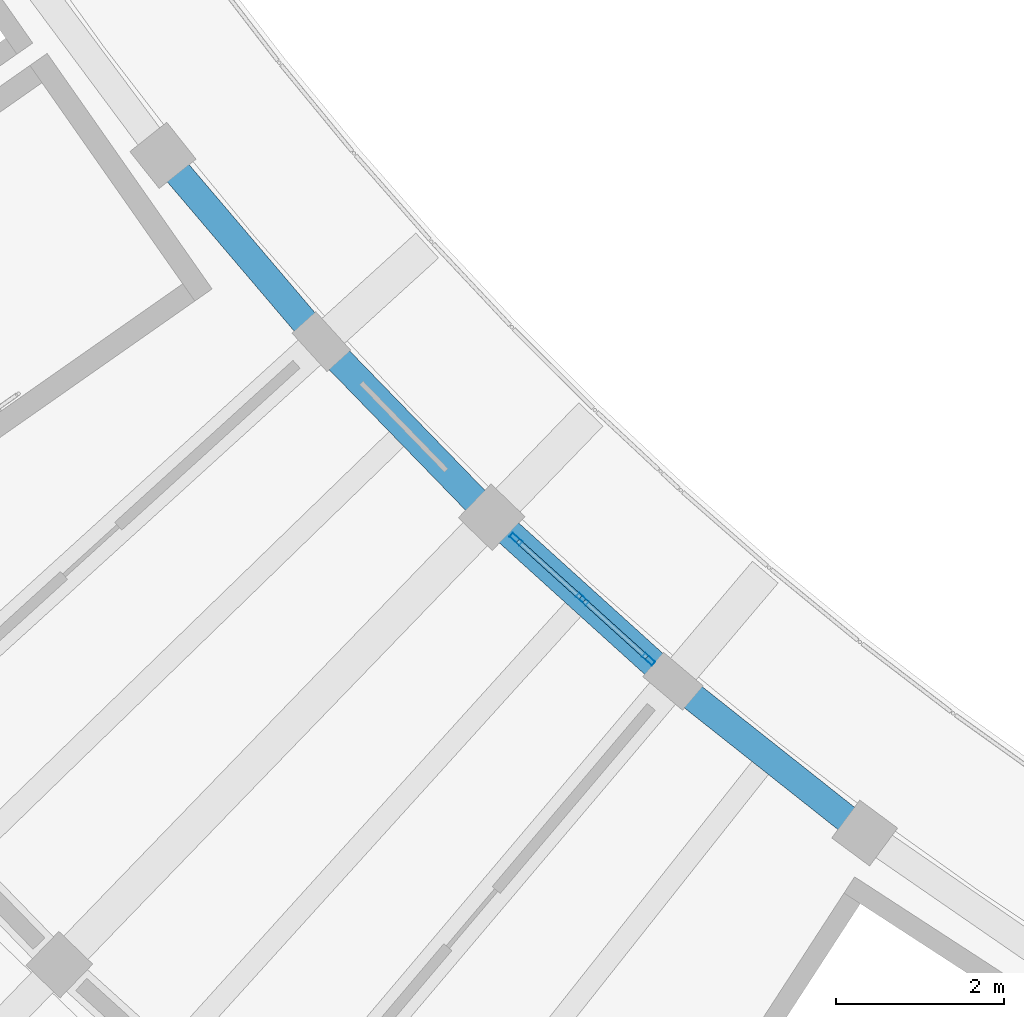
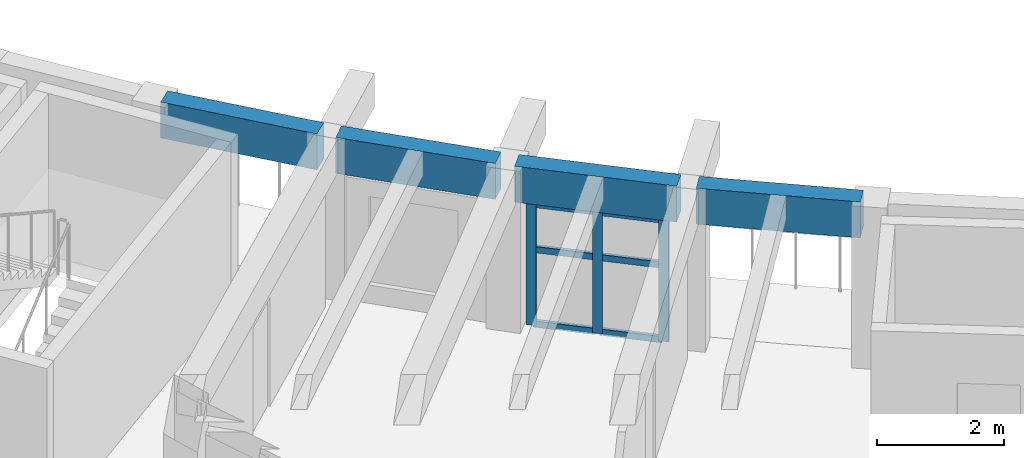
# One storey, part 4 of 69: 9 members, 4 beams, 1 element without a shape of its own.
"""IFC4 building model written with IfcOpenShell, lengths in metres."""

from ifc_helpers import new_model, si_unit, direction, frame, origin, origin_2d, place, context, subcontext, project, spatial, rectangle, hollow_rectangle, extrude, material, material_profile, profile_set, type_object, element, aggregate, save


model = new_model("IFC4")

# Units and contexts
model_context = context("Model", 3, precision=1e-05, world=origin(), true_north=direction((0.0, 1.0)))
body_context = subcontext(model_context, "Body", "Model", "MODEL_VIEW")
ifc_project = project(units=[si_unit("LENGTHUNIT", "METRE"), si_unit("AREAUNIT", "SQUARE_METRE"), si_unit("VOLUMEUNIT", "CUBIC_METRE"), si_unit("PLANEANGLEUNIT", "RADIAN"), si_unit("MASSUNIT", "GRAM", prefix="KILO")], contexts=[model_context])

# Site, building, storey
site_placement = place(None, origin())
site = spatial("IfcSite", under=ifc_project, at=site_placement, CompositionType="ELEMENT")
building_placement = place(site_placement, origin())
building = spatial("IfcBuilding", under=site, at=building_placement, Name="Tanwirah Colonnade Gardens", CompositionType="ELEMENT")
storey_placement = place(building_placement, frame((0.0, 0.0, 15.56005859375)))
storey = spatial("IfcBuildingStorey", under=building, at=storey_placement, Name="L04", CompositionType="ELEMENT", Elevation=15.56005859375)

# Curtain wall, members
ifc_material_1 = material(Name="Bronze-anodised aluminium and solar-control low-E glass", Category="aluminium")
curtain_wall_type = type_object("IfcCurtainWallType", Name="CW-GDN", PredefinedType="NOTDEFINED", material=ifc_material_1)
curtain_wall_placement = place(storey_placement, origin())
curtain_wall = element("IfcCurtainWall", 1, at=curtain_wall_placement, inside=storey, type_object=curtain_wall_type, Name="Curtain Wall CW-C-L04-IN-08", PredefinedType="NOTDEFINED")
ifc_material_2 = material(Name="Bronze-anodised aluminium", Category="aluminium")
ifc_material_profile_1 = material_profile(ifc_material_2, hollow_rectangle(XDim=0.06005859375, YDim=0.159912109375, WallThickness=0.00390625, at=origin_2d()), Name="CW-MUL 60x160x4")
ifc_profile_set_1 = profile_set([ifc_material_profile_1], Name="Bronze-anodised aluminium")
member_type_1 = type_object("IfcMemberType", Name="CWM-60x160", PredefinedType="MULLION", material=ifc_profile_set_1)
member_1_placement = place(storey_placement, frame((34.41162109375, 32.263671875, 0.0), z_axis=(0.0, 0.0, 1.0), x_axis=(0.670750964954, 0.741682643058, 0.0)))
member_1 = element("IfcMember", 2, at=member_1_placement, type_object=member_type_1, Name="CW-GDN mullion 1", PredefinedType="MULLION", context=body_context, shape_type="SweptSolid", body=[
    extrude(hollow_rectangle(XDim=0.06005859375, YDim=0.159912109375, WallThickness=0.00390625, at=origin_2d()), origin(), (0.0, 0.0, 1.0), 2.35498046875),
])
member_2_placement = place(storey_placement, frame((35.201171875, 31.5498046875, 0.0), z_axis=(0.0, 0.0, 1.0), x_axis=(0.670750964954, 0.741682643058, 0.0)))
member_2 = element("IfcMember", 3, at=member_2_placement, type_object=member_type_1, Name="CW-GDN mullion 2", PredefinedType="MULLION", context=body_context, shape_type="SweptSolid", body=[
    extrude(hollow_rectangle(XDim=0.06005859375, YDim=0.159912109375, WallThickness=0.00390625, at=origin_2d()), origin(), (0.0, 0.0, 1.0), 2.35498046875),
])
member_3_placement = place(storey_placement, frame((35.990478515625, 30.8359375, 0.0), z_axis=(0.0, 0.0, 1.0), x_axis=(0.670750964954, 0.741682643058, 0.0)))
member_3 = element("IfcMember", 4, at=member_3_placement, type_object=member_type_1, Name="CW-GDN mullion 3", PredefinedType="MULLION", context=body_context, shape_type="SweptSolid", body=[
    extrude(hollow_rectangle(XDim=0.06005859375, YDim=0.159912109375, WallThickness=0.00390625, at=origin_2d()), origin(), (0.0, 0.0, 1.0), 2.35498046875),
])
ifc_material_profile_2 = material_profile(ifc_material_2, hollow_rectangle(XDim=0.06005859375, YDim=0.1201171875, WallThickness=0.00390625, at=origin_2d()), Name="CW-TRN 60x120x4")
ifc_profile_set_2 = profile_set([ifc_material_profile_2], Name="Bronze-anodised aluminium")
member_type_2 = type_object("IfcMemberType", Name="CWT-60x120", PredefinedType="USERDEFINED", material=ifc_profile_set_2)
member_4_placement = place(storey_placement, frame((34.433837890625, 32.24365234375, 0.030029296875), z_axis=(0.741817868758, -0.67060140888, 0.0), x_axis=(0.67060140888, 0.741817868758, 0.0)))
member_4 = element("IfcMember", 5, at=member_4_placement, type_object=member_type_2, Name="CW-GDN transom 1.1", ObjectType="TRANSOM", PredefinedType="USERDEFINED", context=body_context, shape_type="SweptSolid", body=[
    extrude(hollow_rectangle(XDim=0.06005859375, YDim=0.1201171875, WallThickness=0.00390625, at=origin_2d()), origin(), (0.0, 0.0, 1.0), 1.00439453125),
])
member_5_placement = place(storey_placement, frame((34.433837890625, 32.24365234375, 1.4599609375), z_axis=(0.741817868758, -0.67060140888, 0.0), x_axis=(0.67060140888, 0.741817868758, 0.0)))
member_5 = element("IfcMember", 6, at=member_5_placement, type_object=member_type_2, Name="CW-GDN transom 1.2", ObjectType="TRANSOM", PredefinedType="USERDEFINED", context=body_context, shape_type="SweptSolid", body=[
    extrude(hollow_rectangle(XDim=0.06005859375, YDim=0.1201171875, WallThickness=0.00390625, at=origin_2d()), origin(), (0.0, 0.0, 1.0), 1.00439453125),
])
member_6_placement = place(storey_placement, frame((34.433837890625, 32.24365234375, 2.324951171875), z_axis=(0.741817868758, -0.67060140888, 0.0), x_axis=(0.67060140888, 0.741817868758, 0.0)))
member_6 = element("IfcMember", 7, at=member_6_placement, type_object=member_type_2, Name="CW-GDN transom 1.3", ObjectType="TRANSOM", PredefinedType="USERDEFINED", context=body_context, shape_type="SweptSolid", body=[
    extrude(hollow_rectangle(XDim=0.06005859375, YDim=0.1201171875, WallThickness=0.00390625, at=origin_2d()), origin(), (0.0, 0.0, 1.0), 1.00439453125),
])
member_7_placement = place(storey_placement, frame((35.223388671875, 31.52978515625, 0.030029296875), z_axis=(0.741587602232, -0.67085604135, 0.0), x_axis=(0.67085604135, 0.741587602232, 0.0)))
member_7 = element("IfcMember", 8, at=member_7_placement, type_object=member_type_2, Name="CW-GDN transom 2.1", ObjectType="TRANSOM", PredefinedType="USERDEFINED", context=body_context, shape_type="SweptSolid", body=[
    extrude(hollow_rectangle(XDim=0.06005859375, YDim=0.1201171875, WallThickness=0.00390625, at=origin_2d()), origin(), (0.0, 0.0, 1.0), 1.00439453125),
])
member_8_placement = place(storey_placement, frame((35.223388671875, 31.52978515625, 1.4599609375), z_axis=(0.741587602232, -0.67085604135, 0.0), x_axis=(0.67085604135, 0.741587602232, 0.0)))
member_8 = element("IfcMember", 9, at=member_8_placement, type_object=member_type_2, Name="CW-GDN transom 2.2", ObjectType="TRANSOM", PredefinedType="USERDEFINED", context=body_context, shape_type="SweptSolid", body=[
    extrude(hollow_rectangle(XDim=0.06005859375, YDim=0.1201171875, WallThickness=0.00390625, at=origin_2d()), origin(), (0.0, 0.0, 1.0), 1.00439453125),
])
member_9_placement = place(storey_placement, frame((35.223388671875, 31.52978515625, 2.324951171875), z_axis=(0.741587602232, -0.67085604135, 0.0), x_axis=(0.67085604135, 0.741587602232, 0.0)))
member_9 = element("IfcMember", 10, at=member_9_placement, type_object=member_type_2, Name="CW-GDN transom 2.3", ObjectType="TRANSOM", PredefinedType="USERDEFINED", context=body_context, shape_type="SweptSolid", body=[
    extrude(hollow_rectangle(XDim=0.06005859375, YDim=0.1201171875, WallThickness=0.00390625, at=origin_2d()), origin(), (0.0, 0.0, 1.0), 1.00439453125),
])
aggregate(curtain_wall, [member_1, member_2, member_3, member_4, member_5, member_6, member_7, member_8, member_9])

# Beams
ifc_material_3 = material(Name="Precast concrete C40/50", Category="concrete")
ifc_material_profile_3 = material_profile(ifc_material_3, rectangle(XDim=0.330078125, YDim=0.68994140625, at=origin_2d()), Name="PC-SP 330x690")
ifc_profile_set_3 = profile_set([ifc_material_profile_3], Name="Precast concrete C40/50")
beam_type = type_object("IfcBeamType", Name="SP-PC280", PredefinedType="SPANDREL", material=ifc_profile_set_3)
beam_1_placement = place(storey_placement, frame((30.310302734375, 36.71484375, 2.764892578125), z_axis=(0.647811402053, -0.761800753065, 0.0), x_axis=(0.761800753065, 0.647811402053, 0.0)))
element("IfcBeam", 11, at=beam_1_placement, inside=storey, type_object=beam_type, Name="Block C L04 Circumferential Beam 6-R0", PredefinedType="SPANDREL", context=body_context, shape_type="SweptSolid", body=[
    extrude(rectangle(XDim=0.330078125, YDim=0.68994140625, at=origin_2d()), origin(), (0.0, 0.0, 1.0), 2.608642578125),
])
beam_2_placement = place(storey_placement, frame((32.20166015625, 34.505615234375, 2.764892578125), z_axis=(0.696262751108, -0.717787002822, 0.0), x_axis=(0.717787002822, 0.696262751108, 0.0)))
element("IfcBeam", 12, at=beam_2_placement, inside=storey, type_object=beam_type, Name="Block C L04 Circumferential Beam 7-R0", PredefinedType="SPANDREL", context=body_context, shape_type="SweptSolid", body=[
    extrude(rectangle(XDim=0.330078125, YDim=0.68994140625, at=origin_2d()), origin(), (0.0, 0.0, 1.0), 2.60888671875),
])
beam_3_placement = place(storey_placement, frame((34.233642578125, 32.4248046875, 2.764892578125), z_axis=(0.741686528432, -0.670746668678, 0.0), x_axis=(0.670746668678, 0.741686528432, 0.0)))
element("IfcBeam", 13, at=beam_3_placement, inside=storey, type_object=beam_type, Name="Block C L04 Circumferential Beam 8-R0", PredefinedType="SPANDREL", context=body_context, shape_type="SweptSolid", body=[
    extrude(rectangle(XDim=0.330078125, YDim=0.68994140625, at=origin_2d()), origin(), (0.0, 0.0, 1.0), 2.608642578125),
])
beam_4_placement = place(storey_placement, frame((36.3974609375, 30.481201171875, 2.764892578125), z_axis=(0.783945239852, -0.62082997746, 0.0), x_axis=(0.62082997746, 0.783945239852, 0.0)))
element("IfcBeam", 14, at=beam_4_placement, inside=storey, type_object=beam_type, Name="Block C L04 Circumferential Beam 9-R0", PredefinedType="SPANDREL", context=body_context, shape_type="SweptSolid", body=[
    extrude(rectangle(XDim=0.330078125, YDim=0.68994140625, at=origin_2d()), origin(), (0.0, 0.0, 1.0), 2.60888671875),
])

save(model, "model.ifc")
